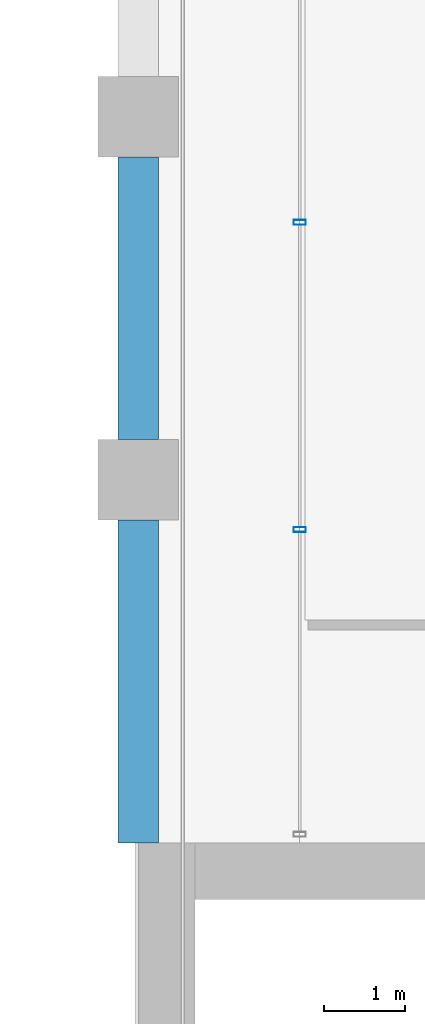
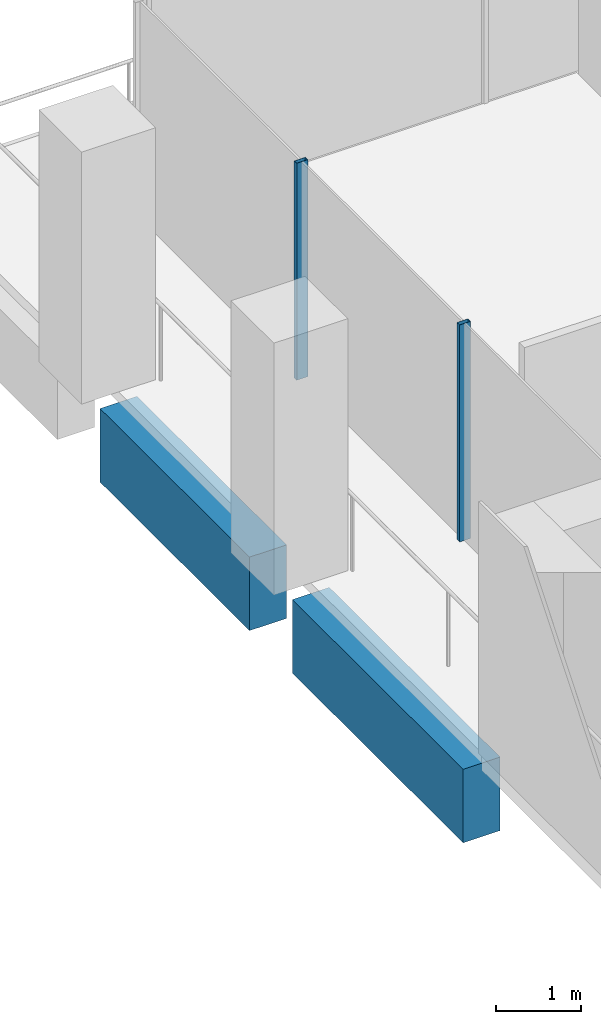
# One storey, part 20 of 46: 2 beams, 2 members, 1 element without a shape of its own.
"""IFC4 building model written with IfcOpenShell, lengths in metres."""

from ifc_helpers import new_model, si_unit, direction, frame, origin, origin_2d, place, context, subcontext, project, spatial, rectangle, hollow_rectangle, extrude, material, material_profile, profile_set, type_object, element, aggregate, save


model = new_model("IFC4")

# Units and contexts
model_context = context("Model", 3, precision=1e-05, world=origin(), true_north=direction((0.0, 1.0)))
body_context = subcontext(model_context, "Body", "Model", "MODEL_VIEW")
ifc_project = project(units=[si_unit("LENGTHUNIT", "METRE"), si_unit("AREAUNIT", "SQUARE_METRE"), si_unit("VOLUMEUNIT", "CUBIC_METRE"), si_unit("PLANEANGLEUNIT", "RADIAN"), si_unit("MASSUNIT", "GRAM", prefix="KILO")], contexts=[model_context])

# Site, building, storey
site_placement = place(None, origin())
site = spatial("IfcSite", under=ifc_project, at=site_placement, CompositionType="ELEMENT")
building_placement = place(site_placement, origin())
building = spatial("IfcBuilding", under=site, at=building_placement, Name="Altepetl Exchange Towers", CompositionType="ELEMENT")
storey_placement = place(building_placement, frame((0.0, 0.0, 102.800048828125)))
storey = spatial("IfcBuildingStorey", under=building, at=storey_placement, Name="L25", CompositionType="ELEMENT", Elevation=102.800048828125)

# Curtain wall, members
ifc_material_1 = material(Name="Aluminium 6063-T6 glazing", Category="aluminium")
curtain_wall_type = type_object("IfcCurtainWallType", Name="Loggia glazing system", PredefinedType="NOTDEFINED", material=ifc_material_1)
curtain_wall_placement = place(storey_placement, origin())
curtain_wall = element("IfcCurtainWall", 1, at=curtain_wall_placement, inside=storey, type_object=curtain_wall_type, Name="CW1 run", PredefinedType="NOTDEFINED")
ifc_material_2 = material(Name="Aluminium 6063-T6", Category="aluminium")
ifc_material_profile_1 = material_profile(ifc_material_2, hollow_rectangle(XDim=0.06005859375, YDim=0.14990234375, WallThickness=0.0029296875, at=origin_2d()), Name="Mullion 60x150 aluminium")
ifc_profile_set_1 = profile_set([ifc_material_profile_1], Name="Aluminium 6063-T6")
member_type = type_object("IfcMemberType", Name="Mullion 60x150 aluminium", PredefinedType="MULLION", material=ifc_profile_set_1)
member_1_placement = place(storey_placement, frame((42.5, 66.191650390625, 0.0), z_axis=(0.0, 0.0, 1.0), x_axis=(0.0, -1.0, 0.0)))
member_1 = element("IfcMember", 2, at=member_1_placement, type_object=member_type, Name="MU1 mullion", PredefinedType="MULLION", context=body_context, shape_type="SweptSolid", body=[
    extrude(hollow_rectangle(XDim=0.06005859375, YDim=0.14990234375, WallThickness=0.0029296875, at=origin_2d()), origin(), (0.0, 0.0, 1.0), 3.099853515625),
])
member_2_placement = place(storey_placement, frame((42.5, 62.38330078125, 0.0), z_axis=(0.0, 0.0, 1.0), x_axis=(0.0, -1.0, 0.0)))
member_2 = element("IfcMember", 3, at=member_2_placement, type_object=member_type, Name="MU1 mullion", PredefinedType="MULLION", context=body_context, shape_type="SweptSolid", body=[
    extrude(hollow_rectangle(XDim=0.06005859375, YDim=0.14990234375, WallThickness=0.0029296875, at=origin_2d()), origin(), (0.0, 0.0, 1.0), 3.099853515625),
])
aggregate(curtain_wall, [member_1, member_2])

# Beams
ifc_material_3 = material(Name="Concrete C50/60 precast with tezontle facing", Category="concrete")
ifc_material_profile_2 = material_profile(ifc_material_3, rectangle(XDim=0.5, YDim=1.050048828125, at=origin_2d()), Name="500 x 1050")
ifc_profile_set_2 = profile_set([ifc_material_profile_2], Name="Concrete C50/60 precast with tezontle facing")
beam_type = type_object("IfcBeamType", Name="Spandrel beam 500x1050 tezontle", PredefinedType="SPANDREL", material=ifc_profile_set_2)
beam_1_placement = place(storey_placement, frame((40.5, 67.0, -0.675048828125), z_axis=(0.0, -1.0, 0.0), x_axis=(1.0, 0.0, 0.0)))
element("IfcBeam", 4, at=beam_1_placement, inside=storey, type_object=beam_type, Name="sp:A:L25:031", PredefinedType="SPANDREL", context=body_context, shape_type="SweptSolid", body=[
    extrude(rectangle(XDim=0.5, YDim=1.050048828125, at=origin_2d()), origin(), (0.0, 0.0, 1.0), 3.5),
])
beam_2_placement = place(storey_placement, frame((40.5, 62.5, -0.675048828125), z_axis=(0.0, -1.0, 0.0), x_axis=(1.0, 0.0, 0.0)))
element("IfcBeam", 5, at=beam_2_placement, inside=storey, type_object=beam_type, Name="sp:A:L25:032", PredefinedType="SPANDREL", context=body_context, shape_type="SweptSolid", body=[
    extrude(rectangle(XDim=0.5, YDim=1.050048828125, at=origin_2d()), origin(), (0.0, 0.0, 1.0), 4.0),
])

save(model, "model.ifc")
